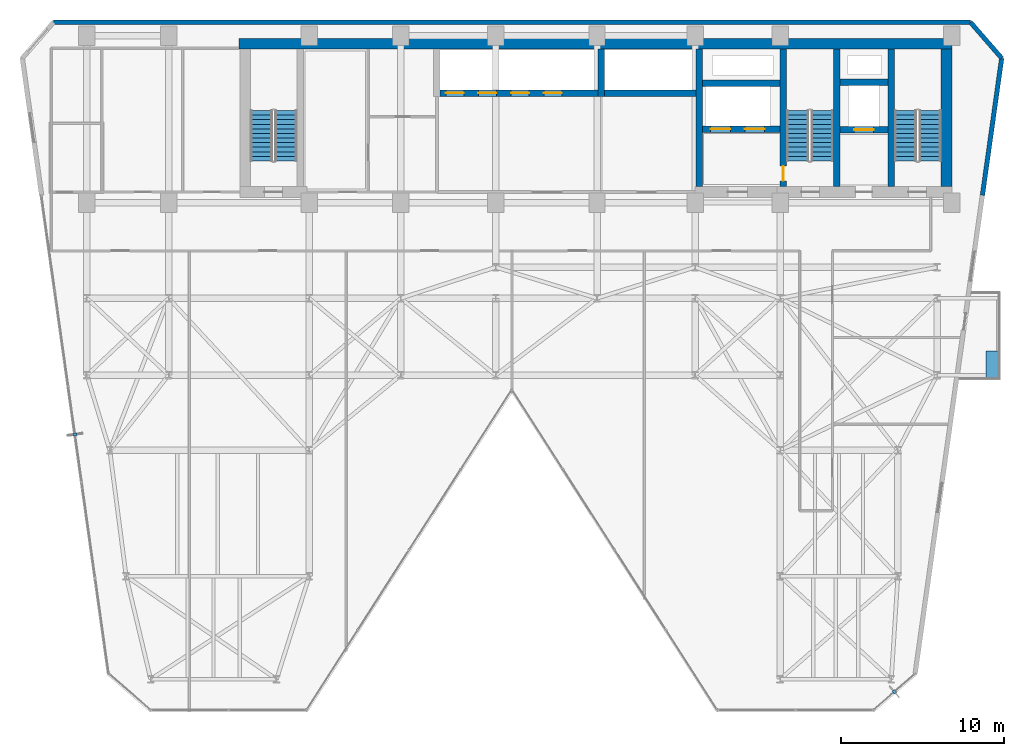
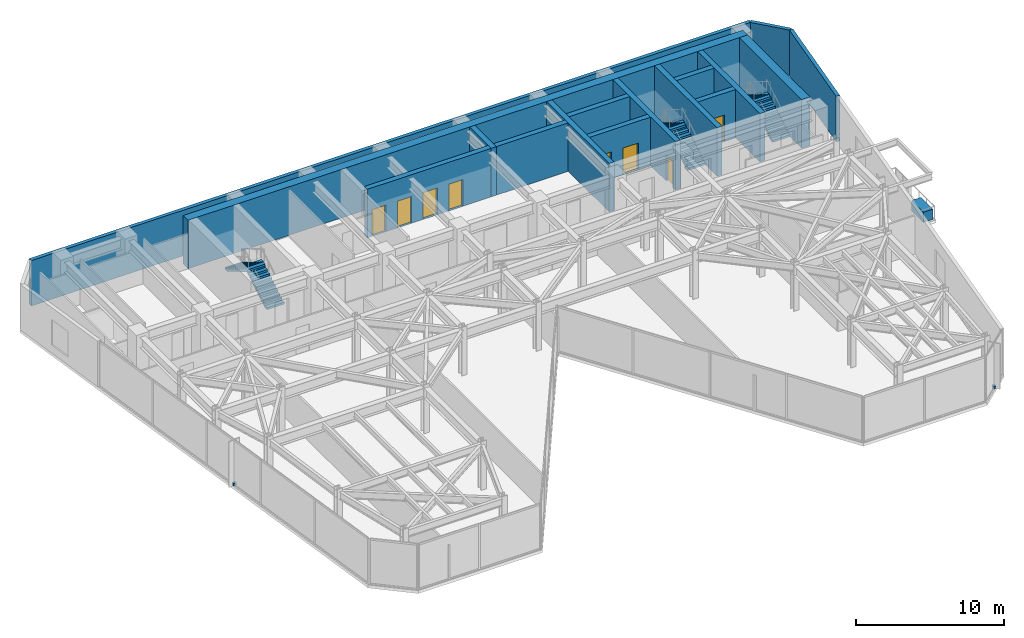
# One storey, part 23 of 26: 16 walls, 8 doors, 6 stair flights, 3 discrete accessories, 8 openings, 3 elements without a shape of their own.
"""IFC4 building model written with IfcOpenShell, lengths in metres."""

from ifc_helpers import new_model, si_unit, direction, frame, frame_2d, origin, origin_2d, place, context, subcontext, project, spatial, polyline, rectangle, outline, extrude, material, layer, layer_set, type_object, element, fill, aggregate, save


model = new_model("IFC4")

# Units and contexts
model_context = context("Model", 3, precision=1e-05, world=origin(), true_north=direction((0.0, 1.0)))
body_context = subcontext(model_context, "Body", "Model", "MODEL_VIEW")
ifc_project = project(units=[si_unit("LENGTHUNIT", "METRE"), si_unit("AREAUNIT", "SQUARE_METRE"), si_unit("VOLUMEUNIT", "CUBIC_METRE"), si_unit("PLANEANGLEUNIT", "RADIAN"), si_unit("MASSUNIT", "GRAM", prefix="KILO")], contexts=[model_context])

# Site, building, storey
site_placement = place(None, origin())
site = spatial("IfcSite", under=ifc_project, at=site_placement, CompositionType="ELEMENT")
building_placement = place(site_placement, origin())
building = spatial("IfcBuilding", under=site, at=building_placement, Name="Kravanh Interchange Tower", CompositionType="ELEMENT")
storey_placement = place(building_placement, frame((0.0, 0.0, 132.0)))
storey = spatial("IfcBuildingStorey", under=building, at=storey_placement, Name="L31", CompositionType="ELEMENT", Elevation=132.0)

# Walls
ifc_material_1 = material(Name="Concrete C70/85", Category="concrete")
ifc_layer_1 = layer(ifc_material_1, 0.64990234375)
ifc_layer_set_1 = layer_set([ifc_layer_1], Name="Core Shear Wall Concrete C70/85 650mm")
wall_type_1 = type_object("IfcWallType", Name="Core Shear Wall Concrete C70/85 650mm", PredefinedType="SHEAR", material=ifc_layer_set_1)
wall_1_placement = place(storey_placement, frame((22.89990234375, 47.074951171875, 0.0), z_axis=(0.0, 0.0, 1.0), x_axis=(1.0, 0.0, 0.0)))
element("IfcWall", 1, at=wall_1_placement, inside=storey, type_object=wall_type_1, Name="L31 North Core Shear Wall", PredefinedType="SHEAR", context=body_context, shape_type="SweptSolid", body=[
    extrude(rectangle(XDim=43.60009765625, YDim=0.64990234375, at=frame_2d((21.800048828125, 0.0))), origin(), (0.0, 0.0, 1.0), 4.0),
])
wall_2_placement = place(storey_placement, frame((66.175048828125, 38.324951171875, 0.0), z_axis=(0.0, 0.0, 1.0), x_axis=(0.0, 1.0, 0.0)))
element("IfcWall", 2, at=wall_2_placement, inside=storey, type_object=wall_type_1, Name="L31 Stair ST1 East Shear Wall", PredefinedType="SHEAR", context=body_context, shape_type="SweptSolid", body=[
    extrude(rectangle(XDim=8.425048828125, YDim=0.64990234375, at=frame_2d((4.21240234375, 0.0))), origin(), (0.0, 0.0, 1.0), 4.0),
])
ifc_material_2 = material(Name="Concrete C80/95", Category="concrete")
ifc_layer_2 = layer(ifc_material_2, 0.39990234375)
ifc_layer_set_2 = layer_set([ifc_layer_2], Name="Core Shear Wall Concrete C80/95 400mm")
wall_type_2 = type_object("IfcWallType", Name="Core Shear Wall Concrete C80/95 400mm", PredefinedType="SHEAR", material=ifc_layer_set_2)
for number, where, z_axis, x_axis, name in (
    (3, (62.800048828125, 38.324951171875, 0.0), (0.0, 0.0, 1.0), (0.0, 1.0, 0.0), "L31 Stair ST1 West Shear Wall"),
    (4, (59.449951171875, 38.324951171875, 0.0), (0.0, 0.0, 1.0), (0.0, 1.0, 0.0), "L31 Stair ST2 East Shear Wall"),
):
    element("IfcWall", number, at=place(storey_placement, frame(where, z_axis=z_axis, x_axis=x_axis)), inside=storey, type_object=wall_type_2, Name=name, PredefinedType="SHEAR", context=body_context, shape_type="SweptSolid", body=[
        extrude(rectangle(XDim=8.425048828125, YDim=0.39990234375, at=frame_2d((4.21240234375, 0.0))), origin(), (0.0, 0.0, 1.0), 4.0),
    ])

# Wall, opening, door
wall_3_placement = place(storey_placement, frame((56.199951171875, 38.324951171875, 0.0), z_axis=(0.0, 0.0, 1.0), x_axis=(0.0, 1.0, 0.0)))
wall_3 = element("IfcWall", 5, at=wall_3_placement, inside=storey, type_object=wall_type_2, Name="L31 Stair ST2 West Shear Wall", PredefinedType="SHEAR", context=body_context, shape_type="SweptSolid", body=[
    extrude(rectangle(XDim=8.425048828125, YDim=0.39990234375, at=frame_2d((4.21240234375, 0.0))), origin(), (0.0, 0.0, 1.0), 4.0),
])
opening_1_placement = place(wall_3_placement, frame((0.35498046875, 0.0, 0.0)))
opening_1 = element("IfcOpeningElement", 6, at=opening_1_placement, cuts=wall_3, Name="Opening D-STAIR-90", PredefinedType="OPENING", context=body_context, shape_type="SweptSolid", body=[
    extrude(rectangle(XDim=0.89990234375, YDim=2.14990234375, at=frame_2d((0.449951171875, 1.074951171875))), frame((0.0, 0.2099609375, 0.0), z_axis=(0.0, -1.0, 0.0), x_axis=(1.0, 0.0, 0.0)), (0.0, 0.0, 1.0), 0.419921875),
])
ifc_material_3 = material(Name="Structural Steel S355", Category="steel")
door_type_1 = type_object("IfcDoorType", Name="Fire-Rated Stair Lobby Door 900x2150", OperationType="NOTDEFINED", PredefinedType="DOOR", material=ifc_material_3)
door_1_placement = place(opening_1_placement, origin())
door_1 = element("IfcDoor", 7, at=door_1_placement, inside=storey, type_object=door_type_1, Name="L31 Firefighting Lobby to Stair ST2 Door", OperationType="SINGLE_SWING_LEFT", OverallHeight=2.14990234375, OverallWidth=0.89990234375, PredefinedType="DOOR", context=body_context, shape_type="SweptSolid", body=[
    extrude(rectangle(XDim=0.89990234375, YDim=2.14990234375, at=frame_2d((0.449951171875, 1.074951171875))), frame((0.0, 0.02490234375, 0.0), z_axis=(0.0, -1.0, 0.0), x_axis=(1.0, 0.0, 0.0)), (0.0, 0.0, 1.0), 0.050048828125),
])
fill(opening_1, door_1)

wall_4_placement = place(storey_placement, frame((59.64990234375, 41.800048828125, 0.0), z_axis=(0.0, 0.0, 1.0), x_axis=(1.0, 0.0, 0.0)))
wall_4 = element("IfcWall", 8, at=wall_4_placement, inside=storey, type_object=wall_type_2, Name="L31 Service Lift Shaft South Wall", PredefinedType="SHEAR", context=body_context, shape_type="SweptSolid", body=[
    extrude(rectangle(XDim=2.9501953125, YDim=0.39990234375, at=frame_2d((1.47509765625, 0.0))), origin(), (0.0, 0.0, 1.0), 4.0),
])
opening_2_placement = place(wall_4_placement, frame((0.8701171875, 0.0, 0.0)))
opening_2 = element("IfcOpeningElement", 9, at=opening_2_placement, cuts=wall_4, Name="Opening LD02", PredefinedType="OPENING", context=body_context, shape_type="SweptSolid", body=[
    extrude(rectangle(XDim=1.199951171875, YDim=2.199951171875, at=frame_2d((0.60009765625, 1.10009765625))), frame((0.0, 0.2099609375, 0.0), z_axis=(0.0, -1.0, 0.0), x_axis=(1.0, 0.0, 0.0)), (0.0, 0.0, 1.0), 0.419921875),
])
ifc_material_4 = material(Name="Stainless Steel 316", Category="steel")
door_type_2 = type_object("IfcDoorType", Name="Fire and Service Lift Sliding Landing Door 1200x2200", OperationType="DOUBLE_DOOR_SLIDING", PredefinedType="DOOR", material=ifc_material_4)
door_2_placement = place(opening_2_placement, origin())
door_2 = element("IfcDoor", 10, at=door_2_placement, inside=storey, type_object=door_type_2, Name="L31 Lift LS-01 Landing Door", OperationType="DOUBLE_DOOR_SLIDING", OverallHeight=2.199951171875, OverallWidth=1.199951171875, PredefinedType="DOOR", context=body_context, shape_type="SweptSolid", body=[
    extrude(rectangle(XDim=1.199951171875, YDim=2.199951171875, at=frame_2d((0.60009765625, 1.10009765625))), frame((0.0, 0.02490234375, 0.0), z_axis=(0.0, -1.0, 0.0), x_axis=(1.0, 0.0, 0.0)), (0.0, 0.0, 1.0), 0.050048828125),
])
fill(opening_2, door_2)

# Wall
wall_5_placement = place(storey_placement, frame((59.64990234375, 44.699951171875, 0.0), z_axis=(0.0, 0.0, 1.0), x_axis=(1.0, 0.0, 0.0)))
element("IfcWall", 11, at=wall_5_placement, inside=storey, type_object=wall_type_2, Name="L31 Service Lift Shaft North Wall", PredefinedType="SHEAR", context=body_context, shape_type="SweptSolid", body=[
    extrude(rectangle(XDim=2.9501953125, YDim=0.39990234375, at=frame_2d((1.47509765625, 0.0))), origin(), (0.0, 0.0, 1.0), 4.0),
])

# Wall, openings, doors
wall_6_placement = place(storey_placement, frame((51.25, 41.85009765625, 0.0), z_axis=(0.0, 0.0, 1.0), x_axis=(1.0, 0.0, 0.0)))
wall_6 = element("IfcWall", 12, at=wall_6_placement, inside=storey, type_object=wall_type_2, Name="L31 Fire Lift Shaft South Wall", PredefinedType="SHEAR", context=body_context, shape_type="SweptSolid", body=[
    extrude(rectangle(XDim=4.75, YDim=0.39990234375, at=frame_2d((2.375, 0.0))), origin(), (0.0, 0.0, 1.0), 4.0),
])
opening_3_placement = place(wall_6_placement, frame((0.5, 0.0, 0.0)))
opening_3 = element("IfcOpeningElement", 13, at=opening_3_placement, cuts=wall_6, Name="Opening LD02", PredefinedType="OPENING", context=body_context, shape_type="SweptSolid", body=[
    extrude(rectangle(XDim=1.199951171875, YDim=2.199951171875, at=frame_2d((0.60009765625, 1.10009765625))), frame((0.0, 0.2099609375, 0.0), z_axis=(0.0, -1.0, 0.0), x_axis=(1.0, 0.0, 0.0)), (0.0, 0.0, 1.0), 0.419921875),
])
opening_4_placement = place(wall_6_placement, frame((2.60009765625, 0.0, 0.0)))
opening_4 = element("IfcOpeningElement", 14, at=opening_4_placement, cuts=wall_6, Name="Opening LD02", PredefinedType="OPENING", context=body_context, shape_type="SweptSolid", body=[
    extrude(rectangle(XDim=1.199951171875, YDim=2.199951171875, at=frame_2d((0.60009765625, 1.10009765625))), frame((0.0, 0.2099609375, 0.0), z_axis=(0.0, -1.0, 0.0), x_axis=(1.0, 0.0, 0.0)), (0.0, 0.0, 1.0), 0.419921875),
])
door_3_placement = place(opening_3_placement, origin())
door_3 = element("IfcDoor", 15, at=door_3_placement, inside=storey, type_object=door_type_2, Name="L31 Lift FSAE-01 Landing Door", OperationType="DOUBLE_DOOR_SLIDING", OverallHeight=2.199951171875, OverallWidth=1.199951171875, PredefinedType="DOOR", context=body_context, shape_type="SweptSolid", body=[
    extrude(rectangle(XDim=1.199951171875, YDim=2.199951171875, at=frame_2d((0.60009765625, 1.10009765625))), frame((0.0, 0.02490234375, 0.0), z_axis=(0.0, -1.0, 0.0), x_axis=(1.0, 0.0, 0.0)), (0.0, 0.0, 1.0), 0.050048828125),
])
fill(opening_3, door_3)
door_4_placement = place(opening_4_placement, origin())
door_4 = element("IfcDoor", 16, at=door_4_placement, inside=storey, type_object=door_type_2, Name="L31 Lift FSAE-02 Landing Door", OperationType="DOUBLE_DOOR_SLIDING", OverallHeight=2.199951171875, OverallWidth=1.199951171875, PredefinedType="DOOR", context=body_context, shape_type="SweptSolid", body=[
    extrude(rectangle(XDim=1.199951171875, YDim=2.199951171875, at=frame_2d((0.60009765625, 1.10009765625))), frame((0.0, 0.02490234375, 0.0), z_axis=(0.0, -1.0, 0.0), x_axis=(1.0, 0.0, 0.0)), (0.0, 0.0, 1.0), 0.050048828125),
])
fill(opening_4, door_4)

# Walls
wall_7_placement = place(storey_placement, frame((51.25, 44.64990234375, 0.0), z_axis=(0.0, 0.0, 1.0), x_axis=(1.0, 0.0, 0.0)))
element("IfcWall", 17, at=wall_7_placement, inside=storey, type_object=wall_type_2, Name="L31 Fire Lift Shaft North Wall", PredefinedType="SHEAR", context=body_context, shape_type="SweptSolid", body=[
    extrude(rectangle(XDim=4.75, YDim=0.39990234375, at=frame_2d((2.375, 0.0))), origin(), (0.0, 0.0, 1.0), 4.0),
])
wall_8_placement = place(storey_placement, frame((51.050048828125, 38.324951171875, 0.0), z_axis=(0.0, 0.0, 1.0), x_axis=(0.0, 1.0, 0.0)))
element("IfcWall", 18, at=wall_8_placement, inside=storey, type_object=wall_type_2, Name="L31 Firefighting Lobby West Wall", PredefinedType="SHEAR", context=body_context, shape_type="SweptSolid", body=[
    extrude(rectangle(XDim=8.425048828125, YDim=0.39990234375, at=frame_2d((4.21240234375, 0.0))), origin(), (0.0, 0.0, 1.0), 4.0),
])
wall_9_placement = place(storey_placement, frame((45.25, 44.050048828125, 0.0), z_axis=(0.0, 0.0, 1.0), x_axis=(1.0, 0.0, 0.0)))
element("IfcWall", 19, at=wall_9_placement, inside=storey, type_object=wall_type_2, Name="L31 High-Rise Lift Shaft South Wall", PredefinedType="SHEAR", context=body_context, shape_type="SweptSolid", body=[
    extrude(rectangle(XDim=5.60009765625, YDim=0.39990234375, at=frame_2d((2.800048828125, 0.0))), origin(), (0.0, 0.0, 1.0), 4.0),
])
wall_10_placement = place(storey_placement, frame((45.050048828125, 43.85009765625, 0.0), z_axis=(0.0, 0.0, 1.0), x_axis=(0.0, 1.0, 0.0)))
element("IfcWall", 20, at=wall_10_placement, inside=storey, type_object=wall_type_2, Name="L31 High-Rise Lift Shaft West Wall", PredefinedType="SHEAR", context=body_context, shape_type="SweptSolid", body=[
    extrude(rectangle(XDim=2.89990234375, YDim=0.39990234375, at=frame_2d((1.449951171875, 0.0))), origin(), (0.0, 0.0, 1.0), 4.0),
])

# Wall, openings, doors
wall_11_placement = place(storey_placement, frame((35.199951171875, 44.050048828125, 0.0), z_axis=(0.0, 0.0, 1.0), x_axis=(1.0, 0.0, 0.0)))
wall_11 = element("IfcWall", 21, at=wall_11_placement, inside=storey, type_object=wall_type_2, Name="L31 Mid-Rise Lift Shaft South Wall", PredefinedType="SHEAR", context=body_context, shape_type="SweptSolid", body=[
    extrude(rectangle(XDim=9.650146484375, YDim=0.39990234375, at=frame_2d((4.8251953125, 0.0))), origin(), (0.0, 0.0, 1.0), 4.0),
])
opening_5_placement = place(wall_11_placement, frame((0.35009765625, 0.0, 0.0)))
opening_5 = element("IfcOpeningElement", 22, at=opening_5_placement, cuts=wall_11, Name="Opening LD01", PredefinedType="OPENING", context=body_context, shape_type="SweptSolid", body=[
    extrude(rectangle(XDim=1.10009765625, YDim=2.199951171875, at=frame_2d((0.550048828125, 1.10009765625))), frame((0.0, 0.2099609375, 0.0), z_axis=(0.0, -1.0, 0.0), x_axis=(1.0, 0.0, 0.0)), (0.0, 0.0, 1.0), 0.419921875),
])
opening_6_placement = place(wall_11_placement, frame((2.35009765625, 0.0, 0.0)))
opening_6 = element("IfcOpeningElement", 23, at=opening_6_placement, cuts=wall_11, Name="Opening LD01", PredefinedType="OPENING", context=body_context, shape_type="SweptSolid", body=[
    extrude(rectangle(XDim=1.10009765625, YDim=2.199951171875, at=frame_2d((0.550048828125, 1.10009765625))), frame((0.0, 0.2099609375, 0.0), z_axis=(0.0, -1.0, 0.0), x_axis=(1.0, 0.0, 0.0)), (0.0, 0.0, 1.0), 0.419921875),
])
opening_7_placement = place(wall_11_placement, frame((4.35009765625, 0.0, 0.0)))
opening_7 = element("IfcOpeningElement", 24, at=opening_7_placement, cuts=wall_11, Name="Opening LD01", PredefinedType="OPENING", context=body_context, shape_type="SweptSolid", body=[
    extrude(rectangle(XDim=1.10009765625, YDim=2.199951171875, at=frame_2d((0.550048828125, 1.10009765625))), frame((0.0, 0.2099609375, 0.0), z_axis=(0.0, -1.0, 0.0), x_axis=(1.0, 0.0, 0.0)), (0.0, 0.0, 1.0), 0.419921875),
])
opening_8_placement = place(wall_11_placement, frame((6.35009765625, 0.0, 0.0)))
opening_8 = element("IfcOpeningElement", 25, at=opening_8_placement, cuts=wall_11, Name="Opening LD01", PredefinedType="OPENING", context=body_context, shape_type="SweptSolid", body=[
    extrude(rectangle(XDim=1.10009765625, YDim=2.199951171875, at=frame_2d((0.550048828125, 1.10009765625))), frame((0.0, 0.2099609375, 0.0), z_axis=(0.0, -1.0, 0.0), x_axis=(1.0, 0.0, 0.0)), (0.0, 0.0, 1.0), 0.419921875),
])
ifc_material_5 = material(Name="Stainless Steel 304", Category="steel")
door_type_3 = type_object("IfcDoorType", Name="Passenger Lift Sliding Landing Door 1100x2200", OperationType="DOUBLE_DOOR_SLIDING", PredefinedType="DOOR", material=ifc_material_5)
door_5_placement = place(opening_5_placement, origin())
door_5 = element("IfcDoor", 26, at=door_5_placement, inside=storey, type_object=door_type_3, Name="L31 Lift LP-M1 Landing Door", OperationType="DOUBLE_DOOR_SLIDING", OverallHeight=2.199951171875, OverallWidth=1.10009765625, PredefinedType="DOOR", context=body_context, shape_type="SweptSolid", body=[
    extrude(rectangle(XDim=1.10009765625, YDim=2.199951171875, at=frame_2d((0.550048828125, 1.10009765625))), frame((0.0, 0.02490234375, 0.0), z_axis=(0.0, -1.0, 0.0), x_axis=(1.0, 0.0, 0.0)), (0.0, 0.0, 1.0), 0.050048828125),
])
fill(opening_5, door_5)
door_6_placement = place(opening_6_placement, origin())
door_6 = element("IfcDoor", 27, at=door_6_placement, inside=storey, type_object=door_type_3, Name="L31 Lift LP-M2 Landing Door", OperationType="DOUBLE_DOOR_SLIDING", OverallHeight=2.199951171875, OverallWidth=1.10009765625, PredefinedType="DOOR", context=body_context, shape_type="SweptSolid", body=[
    extrude(rectangle(XDim=1.10009765625, YDim=2.199951171875, at=frame_2d((0.550048828125, 1.10009765625))), frame((0.0, 0.02490234375, 0.0), z_axis=(0.0, -1.0, 0.0), x_axis=(1.0, 0.0, 0.0)), (0.0, 0.0, 1.0), 0.050048828125),
])
fill(opening_6, door_6)
door_7_placement = place(opening_7_placement, origin())
door_7 = element("IfcDoor", 28, at=door_7_placement, inside=storey, type_object=door_type_3, Name="L31 Lift LP-M3 Landing Door", OperationType="DOUBLE_DOOR_SLIDING", OverallHeight=2.199951171875, OverallWidth=1.10009765625, PredefinedType="DOOR", context=body_context, shape_type="SweptSolid", body=[
    extrude(rectangle(XDim=1.10009765625, YDim=2.199951171875, at=frame_2d((0.550048828125, 1.10009765625))), frame((0.0, 0.02490234375, 0.0), z_axis=(0.0, -1.0, 0.0), x_axis=(1.0, 0.0, 0.0)), (0.0, 0.0, 1.0), 0.050048828125),
])
fill(opening_7, door_7)
door_8_placement = place(opening_8_placement, origin())
door_8 = element("IfcDoor", 29, at=door_8_placement, inside=storey, type_object=door_type_3, Name="L31 Lift LP-M4 Landing Door", OperationType="DOUBLE_DOOR_SLIDING", OverallHeight=2.199951171875, OverallWidth=1.10009765625, PredefinedType="DOOR", context=body_context, shape_type="SweptSolid", body=[
    extrude(rectangle(XDim=1.10009765625, YDim=2.199951171875, at=frame_2d((0.550048828125, 1.10009765625))), frame((0.0, 0.02490234375, 0.0), z_axis=(0.0, -1.0, 0.0), x_axis=(1.0, 0.0, 0.0)), (0.0, 0.0, 1.0), 0.050048828125),
])
fill(opening_8, door_8)

# Walls
ifc_material_6 = material(Name="Insulated Precast Concrete C40/50 with Bronze Cladding", Category="concrete")
ifc_layer_3 = layer(ifc_material_6, 0.280029296875)
ifc_layer_set_3 = layer_set([ifc_layer_3], Name="Exterior Insulated Concrete C40/50 Bronze Spandrel Wall 280mm")
wall_type_3 = type_object("IfcWallType", Name="Exterior Insulated Concrete C40/50 Bronze Spandrel Wall 280mm", PredefinedType="STANDARD", material=ifc_layer_set_3)
wall_12_placement = place(storey_placement, frame((11.5546875, 48.3798828125, 0.0), z_axis=(0.0, 0.0, 1.0), x_axis=(1.0, 0.0, 0.0)))
element("IfcWall", 30, at=wall_12_placement, inside=storey, type_object=wall_type_3, Name="L31 Exterior Wall 3", PredefinedType="STANDARD", context=body_context, shape_type="SweptSolid", body=[
    extrude(rectangle(XDim=56.090576171875, YDim=0.280029296875, at=frame_2d((28.04541015625, 0.0))), origin(), (0.0, 0.0, 1.0), 3.75),
])
wall_13_placement = place(storey_placement, frame((67.645263671875, 48.3798828125, 0.0), z_axis=(0.0, 0.0, 1.0), x_axis=(0.656070644076, -0.754699483226, 0.0)))
element("IfcWall", 31, at=wall_13_placement, inside=storey, type_object=wall_type_3, Name="L31 Exterior Wall 4", PredefinedType="STANDARD", context=body_context, shape_type="SweptSolid", body=[
    extrude(rectangle(XDim=2.908447265625, YDim=0.280029296875, at=frame_2d((1.4541015625, 0.0))), origin(), (0.0, 0.0, 1.0), 3.75),
])
wall_14_placement = place(storey_placement, frame((69.553466796875, 46.184814453125, 0.0), z_axis=(0.0, 0.0, 1.0), x_axis=(-0.139180610108, -0.990267013371, 0.0)))
element("IfcWall", 32, at=wall_14_placement, inside=storey, type_object=wall_type_3, Name="L31 Exterior Wall 5", PredefinedType="STANDARD", context=body_context, shape_type="SweptSolid", body=[
    extrude(rectangle(XDim=8.46728515625, YDim=0.280029296875, at=frame_2d((4.233642578125, 0.0))), origin(), (0.0, 0.0, 1.0), 3.75),
])

# Stair, stair flights
ifc_material_7 = material(Name="Concrete C50/60", Category="concrete")
stair_type = type_object("IfcStairType", Name="Core Fire Exit Dogleg Stair Concrete C50/60", PredefinedType="HALF_TURN_STAIR", material=ifc_material_7)
stair_1_placement = place(storey_placement, origin())
stair_1 = element("IfcStair", 33, at=stair_1_placement, inside=storey, type_object=stair_type, Name="L31 Exit Stair ST1", PredefinedType="HALF_TURN_STAIR")
ifc_material_8 = material(Name="Precast Concrete C50/60", Category="concrete")
ifc_layer_4 = layer(ifc_material_8, 0.199951171875)
ifc_layer_set_4 = layer_set([ifc_layer_4], Name="Precast Concrete C50/60 Stair Flight 1350mm")
stair_flight_type = type_object("IfcStairFlightType", Name="Precast Concrete C50/60 Stair Flight 1350mm", PredefinedType="STRAIGHT", material=ifc_layer_set_4)
stair_flight_1_placement = place(storey_placement, frame((65.175048828125, 39.89990234375, 0.0), z_axis=(0.0, 0.0, 1.0), x_axis=(0.0, 1.0, 0.0)))
stair_flight_1 = element("IfcStairFlight", 34, at=stair_flight_1_placement, type_object=stair_flight_type, Name="ST1 flight 1", NumberOfRisers=12, NumberOfTreads=11, PredefinedType="STRAIGHT", RiserHeight=0.166666667, TreadLength=0.28, context=body_context, shape_type="SweptSolid", body=[
    extrude(outline(polyline([(0.0, 0.0), (0.0, 0.166748046875), (0.280029296875, 0.166748046875), (0.280029296875, 0.333251953125), (0.56005859375, 0.333251953125), (0.56005859375, 0.5), (0.840087890625, 0.5), (0.840087890625, 0.666748046875), (1.1201171875, 0.666748046875), (1.1201171875, 0.833251953125), (1.39990234375, 0.833251953125), (1.39990234375, 1.0), (1.679931640625, 1.0), (1.679931640625, 1.166748046875), (1.9599609375, 1.166748046875), (1.9599609375, 1.333251953125), (2.239990234375, 1.333251953125), (2.239990234375, 1.5), (2.52001953125, 1.5), (2.52001953125, 1.666748046875), (2.800048828125, 1.666748046875), (2.800048828125, 1.833251953125), (3.080078125, 1.833251953125), (3.080078125, 2.0), (3.080078125, 1.658935546875), (0.29296875, 0.0), (0.0, 0.0)])), frame((0.0, 0.675048828125, 0.0), z_axis=(0.0, -1.0, 0.0), x_axis=(1.0, 0.0, 0.0)), (0.0, 0.0, 1.0), 1.35009765625),
])
stair_flight_2_placement = place(storey_placement, frame((63.675048828125, 42.97998046875, 2.0), z_axis=(0.0, 0.0, 1.0), x_axis=(0.0, -1.0, 0.0)))
stair_flight_2 = element("IfcStairFlight", 35, at=stair_flight_2_placement, type_object=stair_flight_type, Name="ST1 flight 2", NumberOfRisers=12, NumberOfTreads=11, PredefinedType="STRAIGHT", RiserHeight=0.166666667, TreadLength=0.28, context=body_context, shape_type="SweptSolid", body=[
    extrude(outline(polyline([(0.0, 0.0), (0.0, 0.166748046875), (0.280029296875, 0.166748046875), (0.280029296875, 0.333251953125), (0.56005859375, 0.333251953125), (0.56005859375, 0.5), (0.840087890625, 0.5), (0.840087890625, 0.666748046875), (1.1201171875, 0.666748046875), (1.1201171875, 0.833251953125), (1.39990234375, 0.833251953125), (1.39990234375, 1.0), (1.679931640625, 1.0), (1.679931640625, 1.166748046875), (1.9599609375, 1.166748046875), (1.9599609375, 1.333251953125), (2.239990234375, 1.333251953125), (2.239990234375, 1.5), (2.52001953125, 1.5), (2.52001953125, 1.666748046875), (2.800048828125, 1.666748046875), (2.800048828125, 1.833251953125), (3.080078125, 1.833251953125), (3.080078125, 2.0), (3.080078125, 1.658935546875), (0.29296875, 0.0), (0.0, 0.0)])), frame((0.0, 0.675048828125, 0.0), z_axis=(0.0, -1.0, 0.0), x_axis=(1.0, 0.0, 0.0)), (0.0, 0.0, 1.0), 1.35009765625),
])
aggregate(stair_1, [stair_flight_1, stair_flight_2])

stair_2_placement = place(storey_placement, origin())
stair_2 = element("IfcStair", 36, at=stair_2_placement, inside=storey, type_object=stair_type, Name="L31 Exit Stair ST2", PredefinedType="HALF_TURN_STAIR")
stair_flight_3_placement = place(storey_placement, frame((58.574951171875, 39.89990234375, 0.0), z_axis=(0.0, 0.0, 1.0), x_axis=(0.0, 1.0, 0.0)))
stair_flight_3 = element("IfcStairFlight", 37, at=stair_flight_3_placement, type_object=stair_flight_type, Name="ST2 flight 1", NumberOfRisers=12, NumberOfTreads=11, PredefinedType="STRAIGHT", RiserHeight=0.166666667, TreadLength=0.28, context=body_context, shape_type="SweptSolid", body=[
    extrude(outline(polyline([(0.0, 0.0), (0.0, 0.166748046875), (0.280029296875, 0.166748046875), (0.280029296875, 0.333251953125), (0.56005859375, 0.333251953125), (0.56005859375, 0.5), (0.840087890625, 0.5), (0.840087890625, 0.666748046875), (1.1201171875, 0.666748046875), (1.1201171875, 0.833251953125), (1.39990234375, 0.833251953125), (1.39990234375, 1.0), (1.679931640625, 1.0), (1.679931640625, 1.166748046875), (1.9599609375, 1.166748046875), (1.9599609375, 1.333251953125), (2.239990234375, 1.333251953125), (2.239990234375, 1.5), (2.52001953125, 1.5), (2.52001953125, 1.666748046875), (2.800048828125, 1.666748046875), (2.800048828125, 1.833251953125), (3.080078125, 1.833251953125), (3.080078125, 2.0), (3.080078125, 1.658935546875), (0.29296875, 0.0), (0.0, 0.0)])), frame((0.0, 0.675048828125, 0.0), z_axis=(0.0, -1.0, 0.0), x_axis=(1.0, 0.0, 0.0)), (0.0, 0.0, 1.0), 1.35009765625),
])
stair_flight_4_placement = place(storey_placement, frame((57.074951171875, 42.97998046875, 2.0), z_axis=(0.0, 0.0, 1.0), x_axis=(0.0, -1.0, 0.0)))
stair_flight_4 = element("IfcStairFlight", 38, at=stair_flight_4_placement, type_object=stair_flight_type, Name="ST2 flight 2", NumberOfRisers=12, NumberOfTreads=11, PredefinedType="STRAIGHT", RiserHeight=0.166666667, TreadLength=0.28, context=body_context, shape_type="SweptSolid", body=[
    extrude(outline(polyline([(0.0, 0.0), (0.0, 0.166748046875), (0.280029296875, 0.166748046875), (0.280029296875, 0.333251953125), (0.56005859375, 0.333251953125), (0.56005859375, 0.5), (0.840087890625, 0.5), (0.840087890625, 0.666748046875), (1.1201171875, 0.666748046875), (1.1201171875, 0.833251953125), (1.39990234375, 0.833251953125), (1.39990234375, 1.0), (1.679931640625, 1.0), (1.679931640625, 1.166748046875), (1.9599609375, 1.166748046875), (1.9599609375, 1.333251953125), (2.239990234375, 1.333251953125), (2.239990234375, 1.5), (2.52001953125, 1.5), (2.52001953125, 1.666748046875), (2.800048828125, 1.666748046875), (2.800048828125, 1.833251953125), (3.080078125, 1.833251953125), (3.080078125, 2.0), (3.080078125, 1.658935546875), (0.29296875, 0.0), (0.0, 0.0)])), frame((0.0, 0.675048828125, 0.0), z_axis=(0.0, -1.0, 0.0), x_axis=(1.0, 0.0, 0.0)), (0.0, 0.0, 1.0), 1.35009765625),
])
aggregate(stair_2, [stair_flight_3, stair_flight_4])

stair_3_placement = place(storey_placement, origin())
stair_3 = element("IfcStair", 39, at=stair_3_placement, inside=storey, type_object=stair_type, Name="L31 Exit Stair ST3", PredefinedType="HALF_TURN_STAIR")
stair_flight_5_placement = place(storey_placement, frame((25.77490234375, 39.89990234375, 0.0), z_axis=(0.0, 0.0, 1.0), x_axis=(0.0, 1.0, 0.0)))
stair_flight_5 = element("IfcStairFlight", 40, at=stair_flight_5_placement, type_object=stair_flight_type, Name="ST3 flight 1", NumberOfRisers=12, NumberOfTreads=11, PredefinedType="STRAIGHT", RiserHeight=0.166666667, TreadLength=0.28, context=body_context, shape_type="SweptSolid", body=[
    extrude(outline(polyline([(0.0, 0.0), (0.0, 0.166748046875), (0.280029296875, 0.166748046875), (0.280029296875, 0.333251953125), (0.56005859375, 0.333251953125), (0.56005859375, 0.5), (0.840087890625, 0.5), (0.840087890625, 0.666748046875), (1.1201171875, 0.666748046875), (1.1201171875, 0.833251953125), (1.39990234375, 0.833251953125), (1.39990234375, 1.0), (1.679931640625, 1.0), (1.679931640625, 1.166748046875), (1.9599609375, 1.166748046875), (1.9599609375, 1.333251953125), (2.239990234375, 1.333251953125), (2.239990234375, 1.5), (2.52001953125, 1.5), (2.52001953125, 1.666748046875), (2.800048828125, 1.666748046875), (2.800048828125, 1.833251953125), (3.080078125, 1.833251953125), (3.080078125, 2.0), (3.080078125, 1.658935546875), (0.29296875, 0.0), (0.0, 0.0)])), frame((0.0, 0.675048828125, 0.0), z_axis=(0.0, -1.0, 0.0), x_axis=(1.0, 0.0, 0.0)), (0.0, 0.0, 1.0), 1.35009765625),
])
stair_flight_6_placement = place(storey_placement, frame((24.27490234375, 42.97998046875, 2.0), z_axis=(0.0, 0.0, 1.0), x_axis=(0.0, -1.0, 0.0)))
stair_flight_6 = element("IfcStairFlight", 41, at=stair_flight_6_placement, type_object=stair_flight_type, Name="ST3 flight 2", NumberOfRisers=12, NumberOfTreads=11, PredefinedType="STRAIGHT", RiserHeight=0.166666667, TreadLength=0.28, context=body_context, shape_type="SweptSolid", body=[
    extrude(outline(polyline([(0.0, 0.0), (0.0, 0.166748046875), (0.280029296875, 0.166748046875), (0.280029296875, 0.333251953125), (0.56005859375, 0.333251953125), (0.56005859375, 0.5), (0.840087890625, 0.5), (0.840087890625, 0.666748046875), (1.1201171875, 0.666748046875), (1.1201171875, 0.833251953125), (1.39990234375, 0.833251953125), (1.39990234375, 1.0), (1.679931640625, 1.0), (1.679931640625, 1.166748046875), (1.9599609375, 1.166748046875), (1.9599609375, 1.333251953125), (2.239990234375, 1.333251953125), (2.239990234375, 1.5), (2.52001953125, 1.5), (2.52001953125, 1.666748046875), (2.800048828125, 1.666748046875), (2.800048828125, 1.833251953125), (3.080078125, 1.833251953125), (3.080078125, 2.0), (3.080078125, 1.658935546875), (0.29296875, 0.0), (0.0, 0.0)])), frame((0.0, 0.675048828125, 0.0), z_axis=(0.0, -1.0, 0.0), x_axis=(1.0, 0.0, 0.0)), (0.0, 0.0, 1.0), 1.35009765625),
])
aggregate(stair_3, [stair_flight_5, stair_flight_6])

# Discrete accessories
ifc_material_9 = material(Name="Stainless Steel 316", Category="steel")
discrete_accessory_type_1 = type_object("IfcDiscreteAccessoryType", Name="Solar Fin Curtain-Wall Mounting Bracket Stainless 316", PredefinedType="BRACKET", material=ifc_material_9)
for number, where, z_axis, x_axis, name in (
    (42, (12.881103515625, 23.16943359375, 0.0), (0.0, 0.0, 1.0), (-0.990268017027, -0.139173468924, 0.0), "L31 Solar Fin Mounting Bracket 1"),
    (43, (62.986328125, 7.429443359375, 0.0), (0.0, 0.0, 1.0), (0.656056045951, -0.754712173329, 0.0), "L31 Solar Fin Mounting Bracket 2"),
):
    element("IfcDiscreteAccessory", number, at=place(storey_placement, frame(where, z_axis=z_axis, x_axis=x_axis)), inside=storey, type_object=discrete_accessory_type_1, Name=name, PredefinedType="BRACKET", context=body_context, shape_type="SweptSolid", body=[
        extrude(rectangle(XDim=0.239990234375, YDim=0.179931640625, at=origin_2d()), origin(), (0.0, 0.0, 1.0), 0.219970703125),
    ])
ifc_material_10 = material(Name="Architectural GRC Concrete C40/50 with Root Barrier", Category="concrete")
discrete_accessory_type_2 = type_object("IfcDiscreteAccessoryType", Name="Structural Balcony Tree Planter Box Concrete C40/50 1600x750x850", PredefinedType="USERDEFINED", material=ifc_material_10)
discrete_accessory_placement = place(storey_placement, frame((68.969970703125, 27.4599609375, 0.0), z_axis=(0.0, 0.0, 1.0), x_axis=(1.0, 0.0, 0.0)))
element("IfcDiscreteAccessory", 44, at=discrete_accessory_placement, inside=storey, type_object=discrete_accessory_type_2, Name="L31 E Balcony TREE PLANTER", ObjectType="PLANTER", PredefinedType="USERDEFINED", context=body_context, shape_type="SweptSolid", body=[
    extrude(rectangle(XDim=0.75, YDim=1.60009765625, at=origin_2d()), origin(), (0.0, 0.0, 1.0), 0.85009765625),
])

save(model, "model.ifc")
